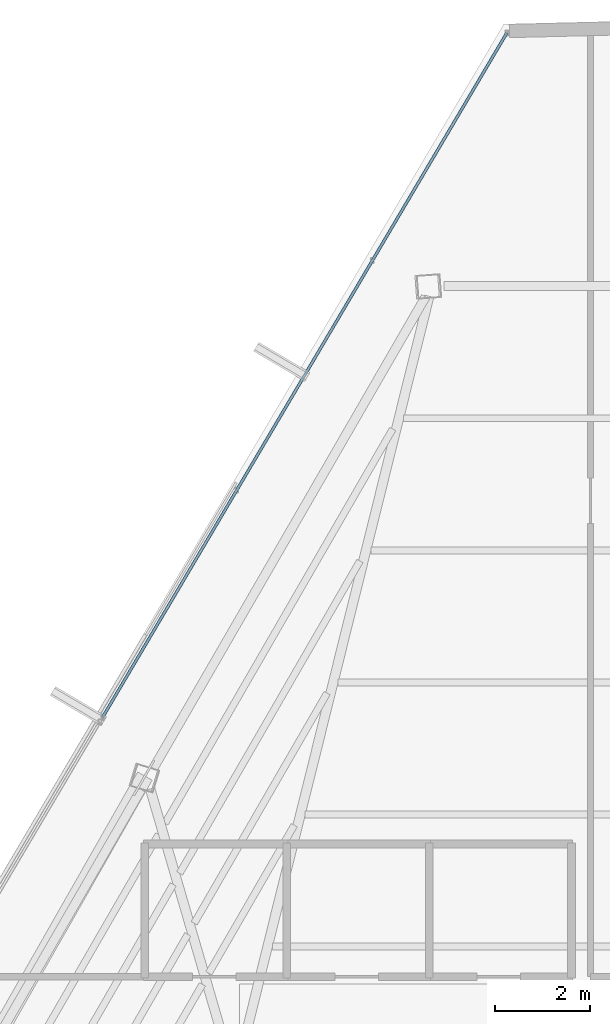
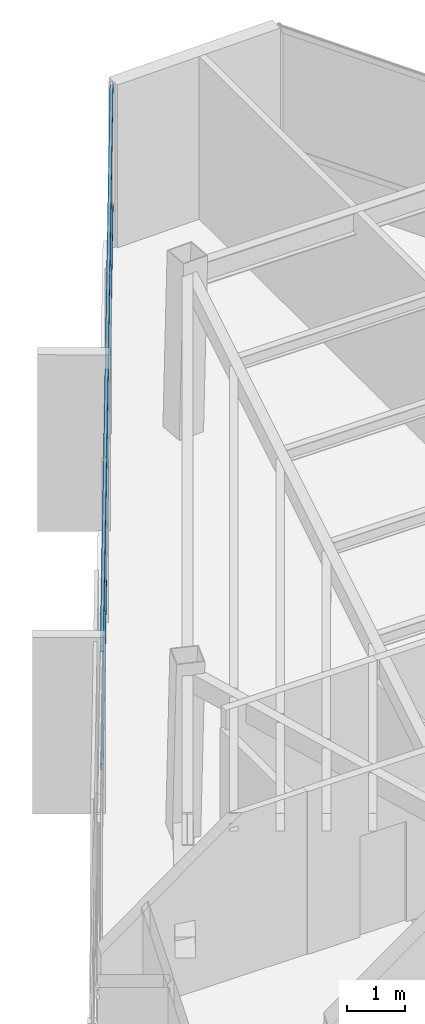
# One storey, part 34 of 45: 2 members, 1 element without a shape of its own.
"""IFC4 building model written with IfcOpenShell, lengths in metres."""

from ifc_helpers import new_model, si_unit, direction, frame, origin, origin_2d, place, context, subcontext, project, spatial, hollow_rectangle, extrude, source, transform, mapped, material, material_profile, profile_set, type_object, type_shapes, element, aggregate, save


model = new_model("IFC4")

# Units and contexts
model_context = context("Model", 3, precision=1e-05, world=origin(), true_north=direction((0.0, 1.0)))
body_context = subcontext(model_context, "Body", "Model", "MODEL_VIEW")
ifc_project = project(units=[si_unit("LENGTHUNIT", "METRE"), si_unit("AREAUNIT", "SQUARE_METRE"), si_unit("VOLUMEUNIT", "CUBIC_METRE"), si_unit("PLANEANGLEUNIT", "RADIAN"), si_unit("MASSUNIT", "GRAM", prefix="KILO")], contexts=[model_context])

# Site, building, storey
site_placement = place(None, origin())
site = spatial("IfcSite", under=ifc_project, at=site_placement, CompositionType="ELEMENT")
building_placement = place(site_placement, origin())
building = spatial("IfcBuilding", under=site, at=building_placement, Name="Caelisora Broadcast Tower", CompositionType="ELEMENT")
storey_placement = place(building_placement, frame((0.0, 0.0, 273.64990234375)))
storey = spatial("IfcBuildingStorey", under=building, at=storey_placement, Name="L72", CompositionType="ELEMENT", Elevation=273.64990234375)

# Curtain wall, members
ifc_material_1 = material(Name="Unitised Aluminium and Low-E Glass Curtain Wall", Category="glass")
curtain_wall_type = type_object("IfcCurtainWallType", Name="CW-Z5", PredefinedType="NOTDEFINED", material=ifc_material_1)
curtain_wall_placement = place(storey_placement, origin())
curtain_wall = element("IfcCurtainWall", 1, at=curtain_wall_placement, inside=storey, type_object=curtain_wall_type, Name="L72 curtain wall CW-Z5", PredefinedType="NOTDEFINED")
ifc_material_2 = material(Name="Aluminium 6063-T6 Anodised Terracotta Bronze", Category="aluminium")
ifc_material_profile = material_profile(ifc_material_2, hollow_rectangle(XDim=0.06005859375, YDim=0.1201171875, WallThickness=0.0029296875, at=origin_2d()), Name="Aluminium 6063-T6 Anodised Terracotta Bronze")
ifc_profile_set = profile_set([ifc_material_profile], Name="Aluminium 6063-T6 Anodised Terracotta Bronze")
member_type = type_object("IfcMemberType", Name="CWT-03", PredefinedType="USERDEFINED", material=ifc_profile_set)
shared_shape = source(origin(), body_context, "Body", "SweptSolid", [
    extrude(hollow_rectangle(XDim=0.06005859375, YDim=0.1201171875, WallThickness=0.0029296875, at=origin_2d()), origin(), (0.0, 0.0, 1.0), 16.758544921875),
])
type_shapes(member_type, [shared_shape])
member_1_placement = place(storey_placement, frame((27.712158203125, 37.61962890625, 0.85009765625), z_axis=(0.508600714725, 0.861002504631, 0.0), x_axis=(-0.861002504631, 0.508600714725, 0.0)))
member_1 = element("IfcMember", 2, at=member_1_placement, type_object=member_type, Name="L72-CW-B11 transom #1", ObjectType="TRANSOM", PredefinedType="USERDEFINED", context=body_context, shape_type="MappedRepresentation", body=[
    mapped(shared_shape, transform((0.0, 0.0, 0.0), scale=1.0)),
])
member_2_placement = place(storey_placement, frame((27.712158203125, 37.61962890625, 3.320068359375), z_axis=(0.508600714725, 0.861002504631, 0.0), x_axis=(-0.861002504631, 0.508600714725, 0.0)))
member_2 = element("IfcMember", 3, at=member_2_placement, type_object=member_type, Name="L72-CW-B11 transom #2", ObjectType="TRANSOM", PredefinedType="USERDEFINED", context=body_context, shape_type="MappedRepresentation", body=[
    mapped(shared_shape, transform((0.0, 0.0, 0.0), scale=1.0)),
])
aggregate(curtain_wall, [member_1, member_2])

save(model, "model.ifc")
